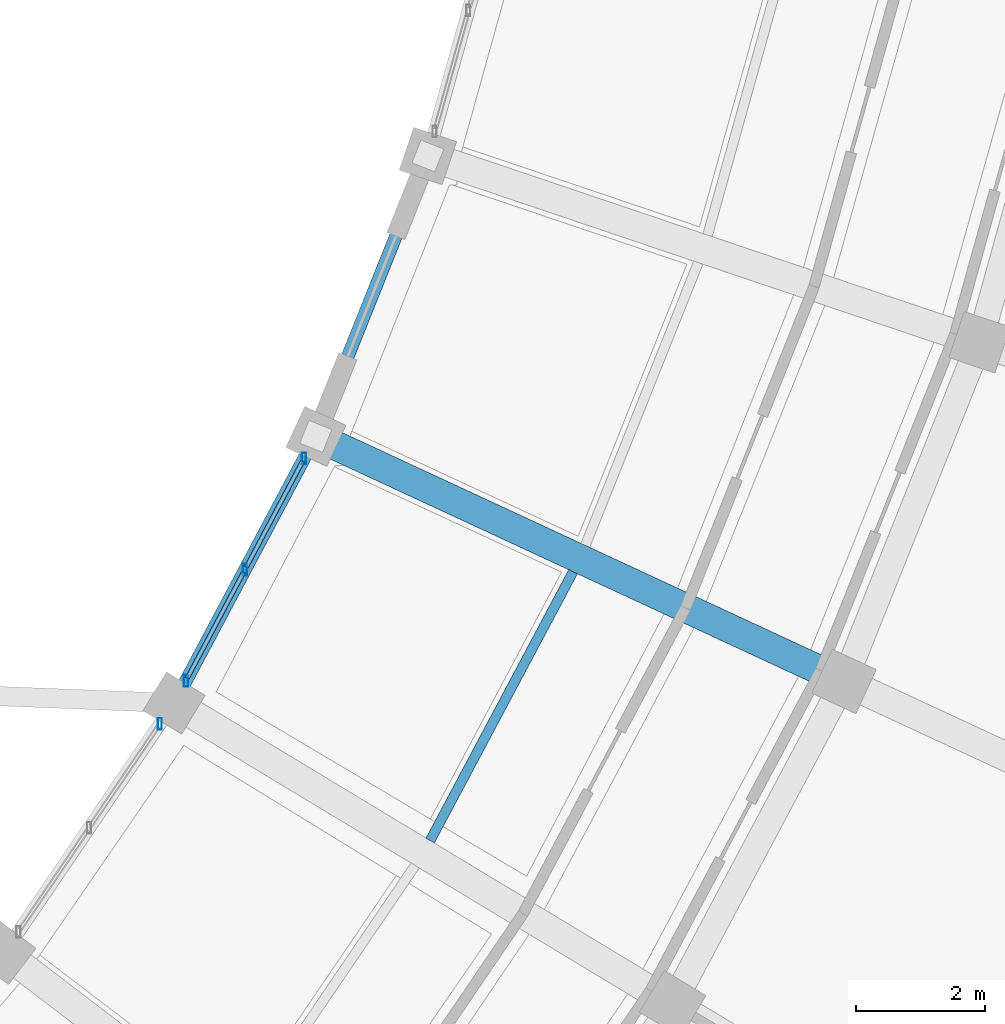
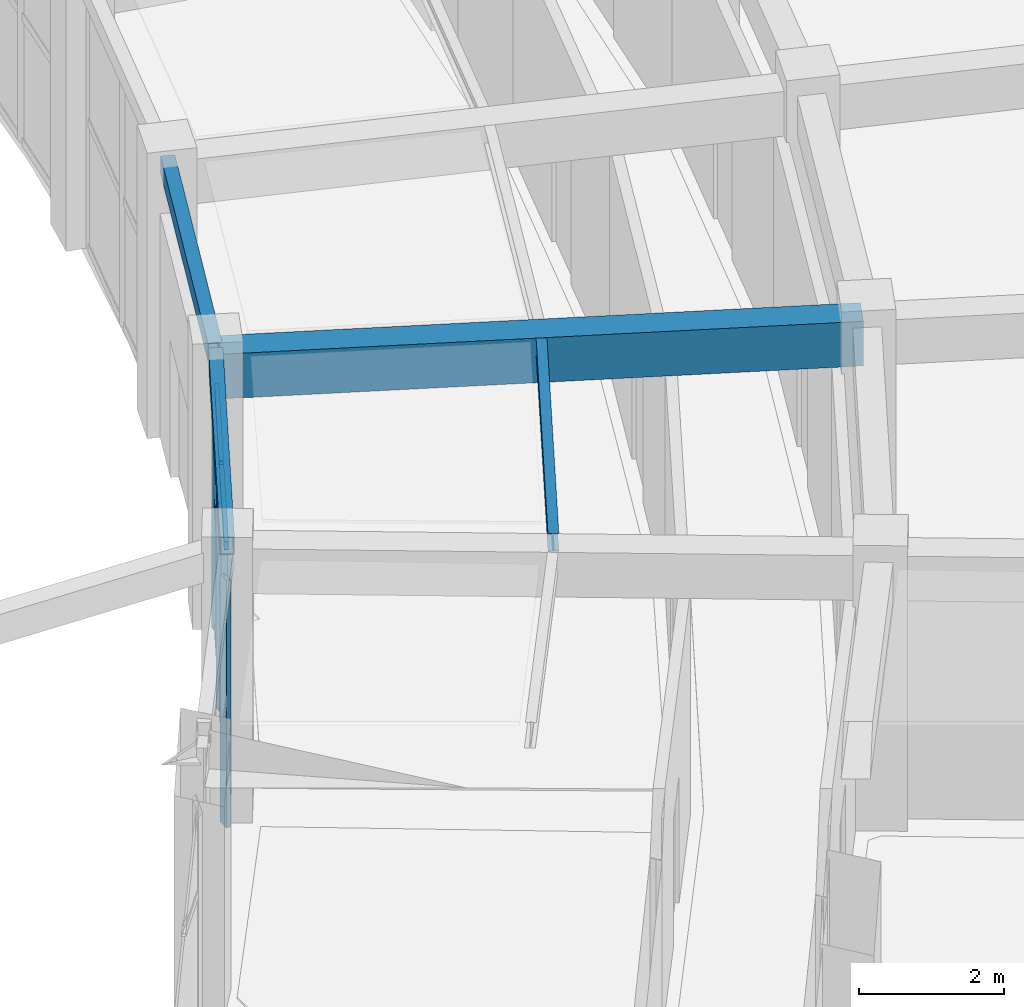
# One storey, part 65 of 108: 10 members, 4 beams, 2 elements without a shape of their own.
"""IFC4 building model written with IfcOpenShell, lengths in metres."""

from ifc_helpers import new_model, si_unit, direction, frame, origin, origin_2d, place, context, subcontext, project, spatial, rectangle, hollow_rectangle, i_section, extrude, material, material_profile, profile_set, type_object, element, aggregate, save


model = new_model("IFC4")

# Units and contexts
model_context = context("Model", 3, precision=1e-05, world=origin(), true_north=direction((0.0, 1.0)))
body_context = subcontext(model_context, "Body", "Model", "MODEL_VIEW")
ifc_project = project(units=[si_unit("LENGTHUNIT", "METRE"), si_unit("AREAUNIT", "SQUARE_METRE"), si_unit("VOLUMEUNIT", "CUBIC_METRE"), si_unit("PLANEANGLEUNIT", "RADIAN"), si_unit("MASSUNIT", "GRAM", prefix="KILO")], contexts=[model_context])

# Site, building, storey
site_placement = place(None, origin())
site = spatial("IfcSite", under=ifc_project, at=site_placement, CompositionType="ELEMENT")
building_placement = place(site_placement, origin())
building = spatial("IfcBuilding", under=site, at=building_placement, Name="Tarnveldt Headland Concert Hall", CompositionType="ELEMENT")
storey_placement = place(building_placement, origin())
storey = spatial("IfcBuildingStorey", under=building, at=storey_placement, Name="L00", CompositionType="ELEMENT", Elevation=0.0)

# Beam
ifc_material_1 = material(Name="Concrete C40/50", Category="concrete")
ifc_material_profile_1 = material_profile(ifc_material_1, rectangle(XDim=0.449951171875, YDim=0.75, at=origin_2d()), Name="RC 450x750", Category="concrete")
ifc_profile_set_1 = profile_set([ifc_material_profile_1], Name="Concrete C40/50")
beam_type_1 = type_object("IfcBeamType", Name="CB-450x750", PredefinedType="BEAM", material=ifc_profile_set_1)
beam_1_placement = place(storey_placement, frame((156.560791015625, 41.877685546875, 4.14501953125), z_axis=(0.907136064141, -0.420837452153, 0.0), x_axis=(0.420837452153, 0.907136064141, 0.0)))
element("IfcBeam", 1, at=beam_1_placement, inside=storey, type_object=beam_type_1, Name="Framing beam L00-459", PredefinedType="BEAM", context=body_context, shape_type="SweptSolid", body=[
    extrude(rectangle(XDim=0.449951171875, YDim=0.75, at=origin_2d()), origin(), (0.0, 0.0, 1.0), 8.880126953125),
])

# Curtain wall, member
ifc_material_2 = material(Name="Marine-anodised aluminium EN AW-6063-T6", Category="aluminium")
curtain_wall_type = type_object("IfcCurtainWallType", Name="CW-C1", PredefinedType="NOTDEFINED", material=ifc_material_2)
curtain_wall_1_placement = place(storey_placement, origin())
curtain_wall_1 = element("IfcCurtainWall", 2, at=curtain_wall_1_placement, inside=storey, type_object=curtain_wall_type, Name="Curtain wall CW-L00-097", PredefinedType="NOTDEFINED")
ifc_material_profile_2 = material_profile(ifc_material_2, hollow_rectangle(XDim=0.06494140625, YDim=0.179931640625, WallThickness=0.00390625, at=origin_2d()), Name="ALU MULLION 65x180x4", Category="aluminium")
ifc_profile_set_2 = profile_set([ifc_material_profile_2], Name="Marine-anodised aluminium EN AW-6063-T6")
member_type_1 = type_object("IfcMemberType", Name="ML-180", PredefinedType="MULLION", material=ifc_profile_set_2)
member_1_placement = place(storey_placement, frame((154.095947265625, 37.45947265625, 0.0), z_axis=(0.0, 0.0, 1.0), x_axis=(1.0, 0.0, 0.0)))
member_1 = element("IfcMember", 3, at=member_1_placement, type_object=member_type_1, Name="Mullion CW-L00-097-3", PredefinedType="MULLION", context=body_context, shape_type="SweptSolid", body=[
    extrude(hollow_rectangle(XDim=0.06494140625, YDim=0.179931640625, WallThickness=0.00390625, at=origin_2d()), origin(), (0.0, 0.0, 1.0), 4.159912109375),
])
aggregate(curtain_wall_1, [member_1])

# Curtain wall, members
curtain_wall_2_placement = place(storey_placement, origin())
curtain_wall_2 = element("IfcCurtainWall", 4, at=curtain_wall_2_placement, inside=storey, type_object=curtain_wall_type, Name="Curtain wall CW-L00-098", PredefinedType="NOTDEFINED")
member_2_placement = place(storey_placement, frame((154.498291015625, 38.126220703125, 0.0), z_axis=(0.0, 0.0, 1.0), x_axis=(1.0, 0.0, 0.0)))
member_2 = element("IfcMember", 5, at=member_2_placement, type_object=member_type_1, Name="Mullion CW-L00-098-1", PredefinedType="MULLION", context=body_context, shape_type="SweptSolid", body=[
    extrude(hollow_rectangle(XDim=0.06494140625, YDim=0.179931640625, WallThickness=0.00390625, at=origin_2d()), origin(), (0.0, 0.0, 1.0), 4.159912109375),
])
member_3_placement = place(storey_placement, frame((155.410888671875, 39.84228515625, 0.0), z_axis=(0.0, 0.0, 1.0), x_axis=(1.0, 0.0, 0.0)))
member_3 = element("IfcMember", 6, at=member_3_placement, type_object=member_type_1, Name="Mullion CW-L00-098-2", PredefinedType="MULLION", context=body_context, shape_type="SweptSolid", body=[
    extrude(hollow_rectangle(XDim=0.06494140625, YDim=0.179931640625, WallThickness=0.00390625, at=origin_2d()), origin(), (0.0, 0.0, 1.0), 4.159912109375),
])
member_4_placement = place(storey_placement, frame((156.3232421875, 41.55859375, 0.0), z_axis=(0.0, 0.0, 1.0), x_axis=(1.0, 0.0, 0.0)))
member_4 = element("IfcMember", 7, at=member_4_placement, type_object=member_type_1, Name="Mullion CW-L00-098-3", PredefinedType="MULLION", context=body_context, shape_type="SweptSolid", body=[
    extrude(hollow_rectangle(XDim=0.06494140625, YDim=0.179931640625, WallThickness=0.00390625, at=origin_2d()), origin(), (0.0, 0.0, 1.0), 4.159912109375),
])

# Beams
ifc_material_3 = material(Name="Steel S355", Category="steel")
ifc_material_profile_3 = material_profile(ifc_material_3, i_section(OverallWidth=0.14990234375, OverallDepth=0.300048828125, WebThickness=0.007080078125, FlangeThickness=0.0107421875, FilletRadius=0.014892578125, at=origin_2d()), Name="IPE300", Category="steel")
ifc_profile_set_3 = profile_set([ifc_material_profile_3], Name="Steel S355")
beam_type_2 = type_object("IfcBeamType", Name="SB-IPE300", PredefinedType="JOIST", material=ifc_profile_set_3)
beam_2_placement = place(storey_placement, frame((158.2734375, 35.655517578125, 4.3701171875), z_axis=(0.469505422059, 0.882929588731, 0.0), x_axis=(-0.882929588731, 0.469505422059, 0.0)))
element("IfcBeam", 8, at=beam_2_placement, inside=storey, type_object=beam_type_2, Name="Framing beam L00-457", PredefinedType="JOIST", context=body_context, shape_type="SweptSolid", body=[
    extrude(i_section(OverallWidth=0.14990234375, OverallDepth=0.300048828125, WebThickness=0.007080078125, FlangeThickness=0.0107421875, FilletRadius=0.014892578125, at=origin_2d()), origin(), (0.0, 0.0, 1.0), 4.7060546875),
])
ifc_material_profile_4 = material_profile(ifc_material_3, hollow_rectangle(XDim=0.199951171875, YDim=0.300048828125, WallThickness=0.012451171875, at=origin_2d()), Name="RHS 300x200x12.5", Category="steel")
ifc_profile_set_4 = profile_set([ifc_material_profile_4], Name="Steel S355")
beam_type_3 = type_object("IfcBeamType", Name="SB-RHS300", PredefinedType="SPANDREL", material=ifc_profile_set_4)
for number, where, z_axis, x_axis, name in (
    (9, (154.343505859375, 37.8349609375, 4.3701171875), (0.469450914916, 0.882958571216, 0.0), (-0.882958571216, 0.469450914916, 0.0), "Framing beam L00-454"),
    (10, (156.52880859375, 41.958740234375, 4.3701171875), (0.370983353144, 0.928639516546, 0.0), (-0.928639516546, 0.370983353144, 0.0), "Framing beam L00-461"),
):
    element("IfcBeam", number, at=place(storey_placement, frame(where, z_axis=z_axis, x_axis=x_axis)), inside=storey, type_object=beam_type_3, Name=name, PredefinedType="SPANDREL", context=body_context, shape_type="SweptSolid", body=[
        extrude(hollow_rectangle(XDim=0.199951171875, YDim=0.300048828125, WallThickness=0.012451171875, at=origin_2d()), origin(), (0.0, 0.0, 1.0), 4.54736328125),
    ])

# Member
ifc_material_profile_5 = material_profile(ifc_material_2, hollow_rectangle(XDim=0.06494140625, YDim=0.139892578125, WallThickness=0.00390625, at=origin_2d()), Name="ALU TRANSOM 65x140x4", Category="aluminium")
ifc_profile_set_5 = profile_set([ifc_material_profile_5], Name="Marine-anodised aluminium EN AW-6063-T6")
member_type_2 = type_object("IfcMemberType", Name="TR-140", PredefinedType="MEMBER", material=ifc_profile_set_5)
member_5_placement = place(storey_placement, frame((154.519287109375, 38.16552734375, 0.050048828125), z_axis=(0.469399022669, 0.882986159301, 0.0), x_axis=(-0.882986159301, 0.469399022669, 0.0)))
member_5 = element("IfcMember", 11, at=member_5_placement, type_object=member_type_2, Name="Transom CW-L00-098-1-1", PredefinedType="MEMBER", context=body_context, shape_type="SweptSolid", body=[
    extrude(hollow_rectangle(XDim=0.06494140625, YDim=0.139892578125, WallThickness=0.00390625, at=origin_2d()), origin(), (0.0, 0.0, 1.0), 1.854736328125),
])

member_6_placement = place(storey_placement, frame((154.519287109375, 38.16552734375, 2.1630859375), z_axis=(0.469399022669, 0.882986159301, 0.0), x_axis=(-0.882986159301, 0.469399022669, 0.0)))
member_6 = element("IfcMember", 12, at=member_6_placement, type_object=member_type_2, Name="Transom CW-L00-098-1-2", PredefinedType="MEMBER", context=body_context, shape_type="SweptSolid", body=[
    extrude(hollow_rectangle(XDim=0.06494140625, YDim=0.139892578125, WallThickness=0.00390625, at=origin_2d()), origin(), (0.0, 0.0, 1.0), 1.854736328125),
])

member_7_placement = place(storey_placement, frame((154.519287109375, 38.16552734375, 4.110107421875), z_axis=(0.469399022669, 0.882986159301, 0.0), x_axis=(-0.882986159301, 0.469399022669, 0.0)))
member_7 = element("IfcMember", 13, at=member_7_placement, type_object=member_type_2, Name="Transom CW-L00-098-1-3", PredefinedType="MEMBER", context=body_context, shape_type="SweptSolid", body=[
    extrude(hollow_rectangle(XDim=0.06494140625, YDim=0.139892578125, WallThickness=0.00390625, at=origin_2d()), origin(), (0.0, 0.0, 1.0), 1.854736328125),
])

member_8_placement = place(storey_placement, frame((155.431640625, 39.881591796875, 0.050048828125), z_axis=(0.469501641812, 0.8829315989, 0.0), x_axis=(-0.8829315989, 0.469501641812, 0.0)))
member_8 = element("IfcMember", 14, at=member_8_placement, type_object=member_type_2, Name="Transom CW-L00-098-2-1", PredefinedType="MEMBER", context=body_context, shape_type="SweptSolid", body=[
    extrude(hollow_rectangle(XDim=0.06494140625, YDim=0.139892578125, WallThickness=0.00390625, at=origin_2d()), origin(), (0.0, 0.0, 1.0), 1.854736328125),
])

member_9_placement = place(storey_placement, frame((155.431640625, 39.881591796875, 2.1630859375), z_axis=(0.469501641812, 0.8829315989, 0.0), x_axis=(-0.8829315989, 0.469501641812, 0.0)))
member_9 = element("IfcMember", 15, at=member_9_placement, type_object=member_type_2, Name="Transom CW-L00-098-2-2", PredefinedType="MEMBER", context=body_context, shape_type="SweptSolid", body=[
    extrude(hollow_rectangle(XDim=0.06494140625, YDim=0.139892578125, WallThickness=0.00390625, at=origin_2d()), origin(), (0.0, 0.0, 1.0), 1.854736328125),
])

member_10_placement = place(storey_placement, frame((155.431640625, 39.881591796875, 4.110107421875), z_axis=(0.469501641812, 0.8829315989, 0.0), x_axis=(-0.8829315989, 0.469501641812, 0.0)))
member_10 = element("IfcMember", 16, at=member_10_placement, type_object=member_type_2, Name="Transom CW-L00-098-2-3", PredefinedType="MEMBER", context=body_context, shape_type="SweptSolid", body=[
    extrude(hollow_rectangle(XDim=0.06494140625, YDim=0.139892578125, WallThickness=0.00390625, at=origin_2d()), origin(), (0.0, 0.0, 1.0), 1.854736328125),
])

aggregate(curtain_wall_2, [member_2, member_3, member_4, member_5, member_6, member_7, member_8, member_9, member_10])

save(model, "model.ifc")
